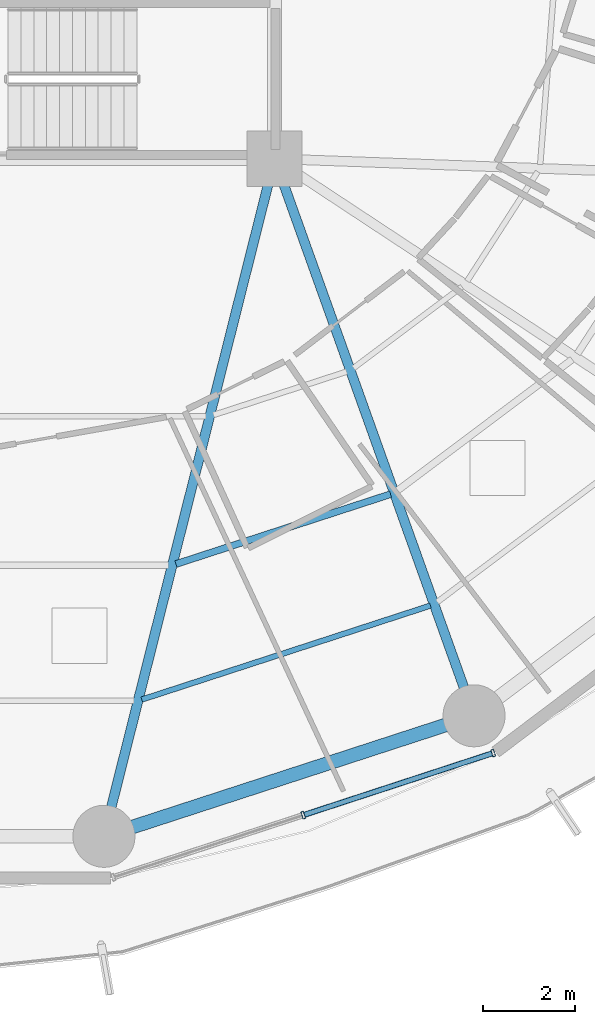
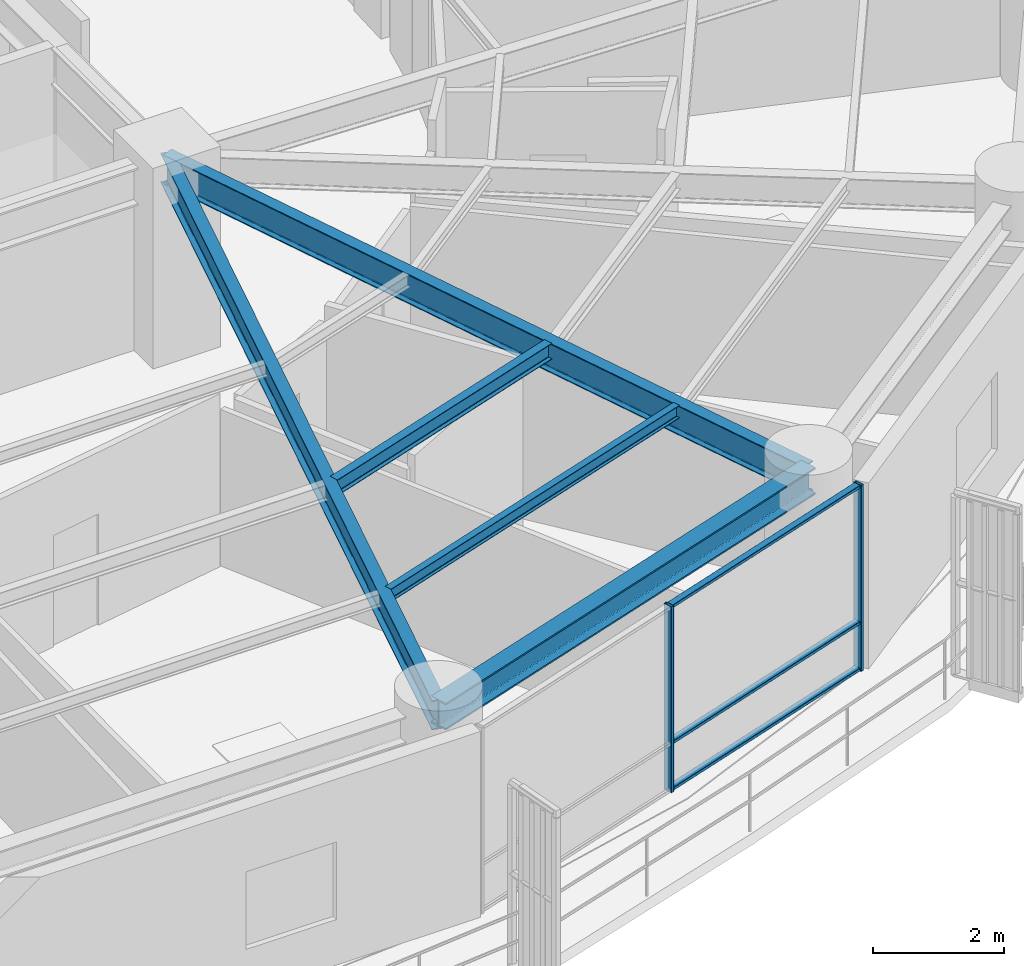
# One storey, part 10 of 36: 5 beams, 5 members, 1 element without a shape of its own.
"""IFC4 building model written with IfcOpenShell, lengths in metres."""

from ifc_helpers import new_model, si_unit, direction, frame, origin, origin_2d, place, context, subcontext, project, spatial, hollow_rectangle, i_section, extrude, material, layer, layer_set, material_profile, profile_set, type_object, element, aggregate, save


model = new_model("IFC4")

# Units and contexts
model_context = context("Model", 3, precision=1e-05, world=origin(), true_north=direction((0.0, 1.0)))
body_context = subcontext(model_context, "Body", "Model", "MODEL_VIEW")
ifc_project = project(units=[si_unit("LENGTHUNIT", "METRE"), si_unit("AREAUNIT", "SQUARE_METRE"), si_unit("VOLUMEUNIT", "CUBIC_METRE"), si_unit("PLANEANGLEUNIT", "RADIAN"), si_unit("MASSUNIT", "GRAM", prefix="KILO")], contexts=[model_context])

# Site, building, storey
site_placement = place(None, origin())
site = spatial("IfcSite", under=ifc_project, at=site_placement, CompositionType="ELEMENT")
building_placement = place(site_placement, origin())
building = spatial("IfcBuilding", under=site, at=building_placement, Name="Kelanora Arch Commons", CompositionType="ELEMENT")
storey_placement = place(building_placement, frame((0.0, 0.0, 102.60009765625)))
storey = spatial("IfcBuildingStorey", under=building, at=storey_placement, Name="L26", CompositionType="ELEMENT", Elevation=102.60009765625)

# Beams
ifc_material_1 = material(Name="Steel S355", Category="steel")
ifc_material_profile_1 = material_profile(ifc_material_1, i_section(OverallWidth=0.14990234375, OverallDepth=0.300048828125, WebThickness=0.007080078125, FlangeThickness=0.0107421875, FilletRadius=0.014892578125, at=origin_2d()), Name="IPE300")
ifc_profile_set_1 = profile_set([ifc_material_profile_1], Name="Steel S355")
beam_type_1 = type_object("IfcBeamType", Name="BM-JST-01", PredefinedType="JOIST", material=ifc_profile_set_1)
beam_1_placement = place(storey_placement, frame((79.852294921875, 42.1796875, 3.33984375), z_axis=(0.950857140254, 0.309629938521, 0.0), x_axis=(-0.309629938521, 0.950857140254, 0.0)))
element("IfcBeam", 1, at=beam_1_placement, inside=storey, type_object=beam_type_1, Name="Secondary Chord Joist BJB-28 L26", PredefinedType="JOIST", context=body_context, shape_type="SweptSolid", body=[
    extrude(i_section(OverallWidth=0.14990234375, OverallDepth=0.300048828125, WebThickness=0.007080078125, FlangeThickness=0.0107421875, FilletRadius=0.014892578125, at=origin_2d()), origin(), (0.0, 0.0, 1.0), 4.912353515625),
])
ifc_material_profile_2 = material_profile(ifc_material_1, i_section(OverallWidth=0.1201171875, OverallDepth=0.239990234375, WebThickness=0.006103515625, FlangeThickness=0.009765625, FilletRadius=0.014892578125, at=origin_2d()), Name="IPE240")
ifc_profile_set_2 = profile_set([ifc_material_profile_2], Name="Steel S355")
beam_type_2 = type_object("IfcBeamType", Name="BM-JST-02", PredefinedType="JOIST", material=ifc_profile_set_2)
beam_2_placement = place(storey_placement, frame((79.109375, 39.230712890625, 3.369873046875), z_axis=(0.950862829272, 0.309612467301, 0.0), x_axis=(-0.309612467301, 0.950862829272, 0.0)))
element("IfcBeam", 2, at=beam_2_placement, inside=storey, type_object=beam_type_2, Name="Secondary Chord Joist BJC-28 L26", PredefinedType="JOIST", context=body_context, shape_type="SweptSolid", body=[
    extrude(i_section(OverallWidth=0.1201171875, OverallDepth=0.239990234375, WebThickness=0.006103515625, FlangeThickness=0.009765625, FilletRadius=0.014892578125, at=origin_2d()), origin(), (0.0, 0.0, 1.0), 6.6064453125),
])
ifc_material_profile_3 = material_profile(ifc_material_1, i_section(OverallWidth=0.2099609375, OverallDepth=0.550048828125, WebThickness=0.010986328125, FlangeThickness=0.01708984375, FilletRadius=0.02392578125, at=origin_2d()), Name="IPE550")
ifc_profile_set_3 = profile_set([ifc_material_profile_3], Name="Steel S355")
beam_type_3 = type_object("IfcBeamType", Name="BM-RAD-Z2", PredefinedType="BEAM", material=ifc_profile_set_3)
beam_3_placement = place(storey_placement, frame((82.0, 51.0, 3.21484375), z_axis=(-0.244280647475, -0.969704576286, 0.0), x_axis=(0.969704576286, -0.244280647475, 0.0)))
element("IfcBeam", 3, at=beam_3_placement, inside=storey, type_object=beam_type_3, Name="Radial Floor Girder BR-28 L26", PredefinedType="BEAM", context=body_context, shape_type="SweptSolid", body=[
    extrude(i_section(OverallWidth=0.2099609375, OverallDepth=0.550048828125, WebThickness=0.010986328125, FlangeThickness=0.01708984375, FilletRadius=0.02392578125, at=origin_2d()), origin(), (0.0, 0.0, 1.0), 15.205322265625),
])
beam_4_placement = place(storey_placement, frame((82.0, 51.0, 3.21484375), z_axis=(0.337084640008, -0.941474346687, 0.0), x_axis=(0.941474346687, 0.337084640008, 0.0)))
element("IfcBeam", 4, at=beam_4_placement, inside=storey, type_object=beam_type_3, Name="Radial Floor Girder BR-30 L26", PredefinedType="BEAM", context=body_context, shape_type="SweptSolid", body=[
    extrude(i_section(OverallWidth=0.2099609375, OverallDepth=0.550048828125, WebThickness=0.010986328125, FlangeThickness=0.01708984375, FilletRadius=0.02392578125, at=origin_2d()), origin(), (0.0, 0.0, 1.0), 12.875244140625),
])
ifc_material_profile_4 = material_profile(ifc_material_1, i_section(OverallWidth=0.300048828125, OverallDepth=0.5, WebThickness=0.014404296875, FlangeThickness=0.028076171875, FilletRadius=0.027099609375, at=origin_2d()), Name="HEB500")
ifc_profile_set_4 = profile_set([ifc_material_profile_4], Name="Steel S355")
beam_type_4 = type_object("IfcBeamType", Name="BM-SPN-Z2", PredefinedType="SPANDREL", material=ifc_profile_set_4)
beam_5_placement = place(storey_placement, frame((78.28564453125, 36.25537109375, 3.239990234375), z_axis=(0.950856631974, 0.309631499418, 0.0), x_axis=(-0.309631499418, 0.950856631974, 0.0)))
element("IfcBeam", 5, at=beam_5_placement, inside=storey, type_object=beam_type_4, Name="Perimeter Spandrel Beam BS-28 L26", PredefinedType="SPANDREL", context=body_context, shape_type="SweptSolid", body=[
    extrude(i_section(OverallWidth=0.300048828125, OverallDepth=0.5, WebThickness=0.014404296875, FlangeThickness=0.028076171875, FilletRadius=0.027099609375, at=origin_2d()), origin(), (0.0, 0.0, 1.0), 8.470703125),
])

# Curtain wall, members
ifc_material_2 = material(Name="Terracotta ceramic-fritted low-E glass and aluminium", Category="masonry")
ifc_layer = layer(ifc_material_2, 0.159912109375)
ifc_layer_set = layer_set([ifc_layer], Name="Terracotta ceramic-fritted low-E glass and aluminium")
curtain_wall_type = type_object("IfcCurtainWallType", Name="CW-SYS-01", PredefinedType="NOTDEFINED", material=ifc_layer_set)
curtain_wall_placement = place(storey_placement, origin())
curtain_wall = element("IfcCurtainWall", 6, at=curtain_wall_placement, inside=storey, type_object=curtain_wall_type, Name="Unitised Curtain Wall L26-B14", PredefinedType="NOTDEFINED")
ifc_material_3 = material(Name="Powder-coated aluminium terracotta", Category="masonry")
ifc_material_profile_5 = material_profile(ifc_material_3, hollow_rectangle(XDim=0.159912109375, YDim=0.06005859375, WallThickness=0.0048828125, InnerFilletRadius=0.0048828125, OuterFilletRadius=0.010009765625, at=origin_2d()), Name="CWM160x60")
ifc_profile_set_5 = profile_set([ifc_material_profile_5], Name="Powder-coated aluminium terracotta")
member_type_1 = type_object("IfcMemberType", Name="CWM-STD", PredefinedType="MULLION", material=ifc_profile_set_5)
member_1_placement = place(storey_placement, frame((82.622802734375, 36.71533203125, 0.0), z_axis=(0.0, 0.0, 1.0), x_axis=(-0.31080470294, 0.950473795867, 0.0)))
member_1 = element("IfcMember", 7, at=member_1_placement, type_object=member_type_1, Name="CW-01 mullion 2", PredefinedType="MULLION", context=body_context, shape_type="SweptSolid", body=[
    extrude(hollow_rectangle(XDim=0.159912109375, YDim=0.06005859375, WallThickness=0.0048828125, InnerFilletRadius=0.0048828125, OuterFilletRadius=0.010009765625, at=origin_2d()), origin(), (0.0, 0.0, 1.0), 3.474853515625),
])
member_2_placement = place(storey_placement, frame((86.757080078125, 38.0673828125, 0.0), z_axis=(0.0, 0.0, 1.0), x_axis=(-0.31080470294, 0.950473795867, 0.0)))
member_2 = element("IfcMember", 8, at=member_2_placement, type_object=member_type_1, Name="CW-01 mullion 3", PredefinedType="MULLION", context=body_context, shape_type="SweptSolid", body=[
    extrude(hollow_rectangle(XDim=0.159912109375, YDim=0.06005859375, WallThickness=0.0048828125, InnerFilletRadius=0.0048828125, OuterFilletRadius=0.010009765625, at=origin_2d()), origin(), (0.0, 0.0, 1.0), 3.474853515625),
])
ifc_material_profile_6 = material_profile(ifc_material_3, hollow_rectangle(XDim=0.1201171875, YDim=0.06005859375, WallThickness=0.0048828125, InnerFilletRadius=0.0048828125, OuterFilletRadius=0.010009765625, at=origin_2d()), Name="CWT120x60")
ifc_profile_set_6 = profile_set([ifc_material_profile_6], Name="Powder-coated aluminium terracotta")
member_type_2 = type_object("IfcMemberType", Name="CWT-STD", PredefinedType="USERDEFINED", material=ifc_profile_set_6)
member_3_placement = place(storey_placement, frame((82.651123046875, 36.724609375, 0.02978515625), z_axis=(0.950466230394, 0.310827838008, 0.0), x_axis=(-0.310827838008, 0.950466230394, 0.0)))
member_3 = element("IfcMember", 9, at=member_3_placement, type_object=member_type_2, Name="CW-01 transom 2.1", ObjectType="TRANSOM", PredefinedType="USERDEFINED", context=body_context, shape_type="SweptSolid", body=[
    extrude(hollow_rectangle(XDim=0.1201171875, YDim=0.06005859375, WallThickness=0.0048828125, InnerFilletRadius=0.0048828125, OuterFilletRadius=0.010009765625, at=origin_2d()), origin(), (0.0, 0.0, 1.0), 4.2900390625),
])
member_4_placement = place(storey_placement, frame((82.651123046875, 36.724609375, 0.89990234375), z_axis=(0.950466230394, 0.310827838008, 0.0), x_axis=(-0.310827838008, 0.950466230394, 0.0)))
member_4 = element("IfcMember", 10, at=member_4_placement, type_object=member_type_2, Name="CW-01 transom 2.2", ObjectType="TRANSOM", PredefinedType="USERDEFINED", context=body_context, shape_type="SweptSolid", body=[
    extrude(hollow_rectangle(XDim=0.1201171875, YDim=0.06005859375, WallThickness=0.0048828125, InnerFilletRadius=0.0048828125, OuterFilletRadius=0.010009765625, at=origin_2d()), origin(), (0.0, 0.0, 1.0), 4.2900390625),
])
member_5_placement = place(storey_placement, frame((82.651123046875, 36.724609375, 3.44482421875), z_axis=(0.950466230394, 0.310827838008, 0.0), x_axis=(-0.310827838008, 0.950466230394, 0.0)))
member_5 = element("IfcMember", 11, at=member_5_placement, type_object=member_type_2, Name="CW-01 transom 2.3", ObjectType="TRANSOM", PredefinedType="USERDEFINED", context=body_context, shape_type="SweptSolid", body=[
    extrude(hollow_rectangle(XDim=0.1201171875, YDim=0.06005859375, WallThickness=0.0048828125, InnerFilletRadius=0.0048828125, OuterFilletRadius=0.010009765625, at=origin_2d()), origin(), (0.0, 0.0, 1.0), 4.2900390625),
])
aggregate(curtain_wall, [member_1, member_2, member_3, member_4, member_5])

save(model, "model.ifc")
